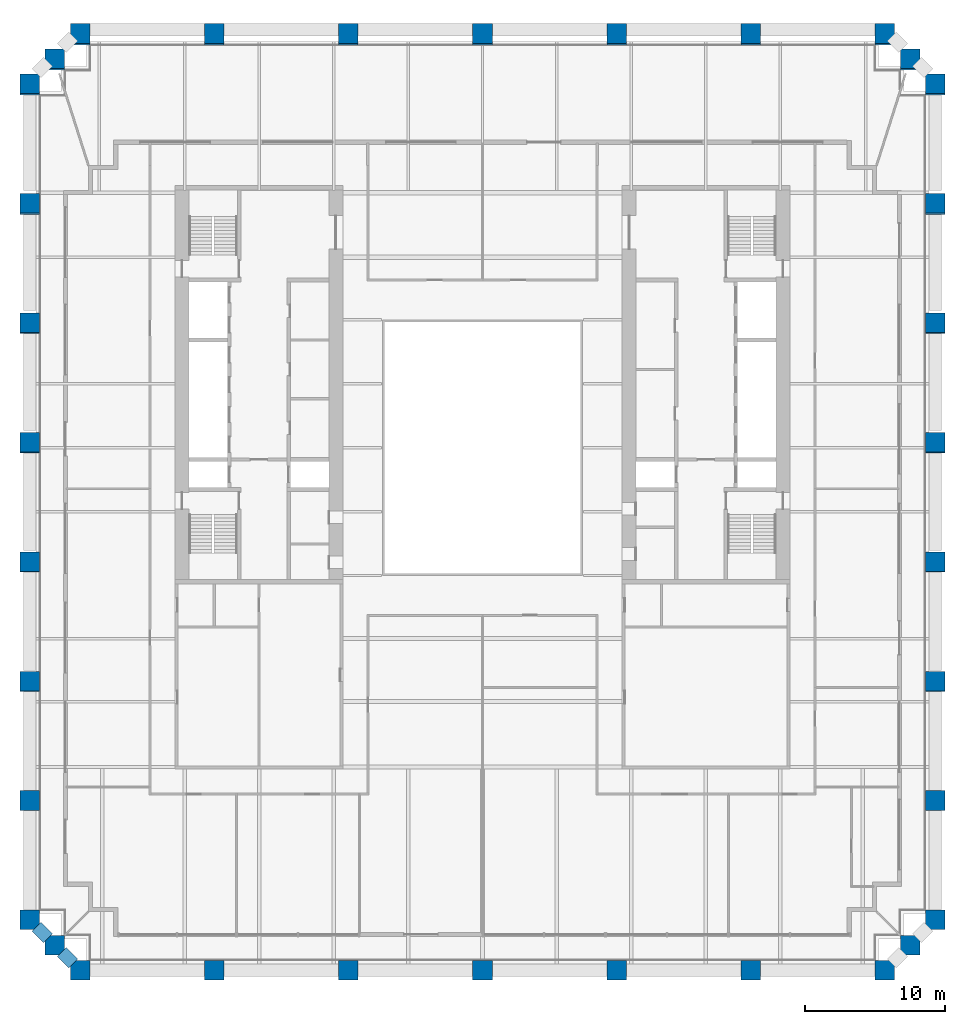
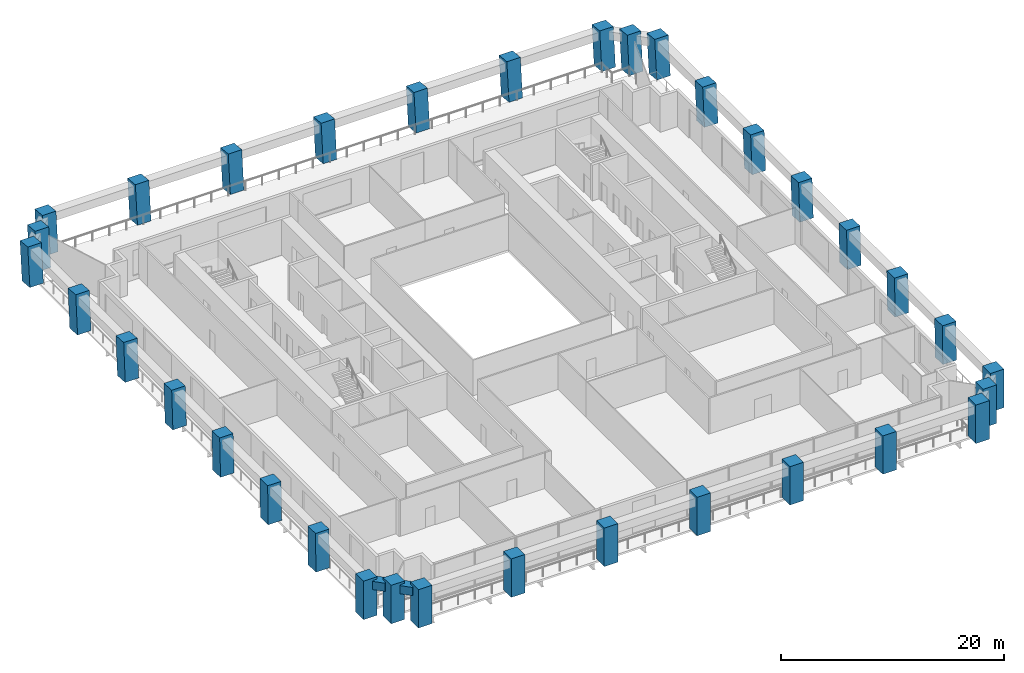
# One storey, part 1 of 11: 34 columns, 2 beams.
"""IFC4 building model written with IfcOpenShell, lengths in metres."""

from ifc_helpers import new_model, si_unit, direction, frame, origin, origin_2d, place, context, subcontext, project, spatial, rectangle, extrude, material, material_profile, profile_set, type_object, element, save


model = new_model("IFC4")

# Units and contexts
model_context = context("Model", 3, precision=1e-05, world=origin(), true_north=direction((0.0, 1.0)))
body_context = subcontext(model_context, "Body", "Model", "MODEL_VIEW")
ifc_project = project(units=[si_unit("LENGTHUNIT", "METRE"), si_unit("AREAUNIT", "SQUARE_METRE"), si_unit("VOLUMEUNIT", "CUBIC_METRE"), si_unit("PLANEANGLEUNIT", "RADIAN"), si_unit("MASSUNIT", "GRAM", prefix="KILO")], contexts=[model_context])

# Site, building, storey
site_placement = place(None, origin())
site = spatial("IfcSite", under=ifc_project, at=site_placement, CompositionType="ELEMENT")
building_placement = place(site_placement, origin())
building = spatial("IfcBuilding", under=site, at=building_placement, Name="Ogive Exchange Tower", CompositionType="ELEMENT")
storey_placement = place(building_placement, frame((0.0, 0.0, 90.0)))
storey = spatial("IfcBuildingStorey", under=building, at=storey_placement, Name="L19", CompositionType="ELEMENT", Elevation=90.0)

# Columns
ifc_material = material(Name="Precast concrete C70/85 (limestone faced)", Category="masonry")
ifc_material_profile_1 = material_profile(ifc_material, rectangle(XDim=1.39990234375, YDim=1.39990234375, at=origin_2d()), Name="1400 x 1400")
ifc_profile_set_1 = profile_set([ifc_material_profile_1], Name="Precast concrete C70/85 (limestone faced)")
column_type = type_object("IfcColumnType", Name="Precast exoskeleton leg 1400 x 1400 C70/85", PredefinedType="COLUMN", material=ifc_profile_set_1)
for number, where, z_axis, x_axis, name in (
    (1, (-28.800048828125, -30.39990234375, 0.0), (0.0, 0.0, 1.0), (1.0, 0.0, 0.0), "Exoskeleton leg 1"),
    (2, (-19.199951171875, -30.39990234375, 0.0), (0.0, 0.0, 1.0), (1.0, 0.0, 0.0), "Exoskeleton leg 2"),
    (3, (-9.60009765625, -30.39990234375, 0.0), (0.0, 0.0, 1.0), (1.0, 0.0, 0.0), "Exoskeleton leg 3"),
    (4, (0.0, -30.39990234375, 0.0), (0.0, 0.0, 1.0), (1.0, 0.0, 0.0), "Exoskeleton leg 4"),
    (5, (9.60009765625, -30.39990234375, 0.0), (0.0, 0.0, 1.0), (1.0, 0.0, 0.0), "Exoskeleton leg 5"),
    (6, (19.199951171875, -30.39990234375, 0.0), (0.0, 0.0, 1.0), (1.0, 0.0, 0.0), "Exoskeleton leg 6"),
    (7, (28.800048828125, -30.39990234375, 0.0), (0.0, 0.0, 1.0), (1.0, 0.0, 0.0), "Exoskeleton leg 7"),
    (8, (32.39990234375, -26.800048828125, 0.0), (0.0, 0.0, 1.0), (1.0, 0.0, 0.0), "Exoskeleton leg 8"),
):
    element("IfcColumn", number, at=place(storey_placement, frame(where, z_axis=z_axis, x_axis=x_axis)), inside=storey, type_object=column_type, Name=name, PredefinedType="COLUMN", context=body_context, shape_type="SweptSolid", body=[
        extrude(rectangle(XDim=1.39990234375, YDim=1.39990234375, at=origin_2d()), origin(), (0.0, 0.0, 1.0), 4.199951171875),
    ])
column_1_placement = place(storey_placement, frame((32.39990234375, -18.267578125, 0.0), z_axis=(0.0, 0.013019881024, 0.999915237757), x_axis=(-1.0, 0.0, 0.0)))
element("IfcColumn", 9, at=column_1_placement, inside=storey, type_object=column_type, Name="Exoskeleton leg 9", PredefinedType="COLUMN", context=body_context, shape_type="SweptSolid", body=[
    extrude(rectangle(XDim=1.39990234375, YDim=1.39990234375, at=origin_2d()), origin(), (0.0, 0.0, 1.0), 4.2001953125),
])
column_2_placement = place(storey_placement, frame((32.39990234375, -9.735107421875, 0.0), z_axis=(0.0, 0.025975072843, 0.999662590873), x_axis=(-1.0, 0.0, 0.0)))
element("IfcColumn", 10, at=column_2_placement, inside=storey, type_object=column_type, Name="Exoskeleton leg 10", PredefinedType="COLUMN", context=body_context, shape_type="SweptSolid", body=[
    extrude(rectangle(XDim=1.39990234375, YDim=1.39990234375, at=origin_2d()), origin(), (0.0, 0.0, 1.0), 4.201416015625),
])
column_3_placement = place(storey_placement, frame((32.39990234375, -1.20263671875, 0.0), z_axis=(0.0, 0.038917190853, 0.999242439179), x_axis=(-1.0, 0.0, 0.0)))
element("IfcColumn", 11, at=column_3_placement, inside=storey, type_object=column_type, Name="Exoskeleton leg 11", PredefinedType="COLUMN", context=body_context, shape_type="SweptSolid", body=[
    extrude(rectangle(XDim=1.39990234375, YDim=1.39990234375, at=origin_2d()), origin(), (0.0, 0.0, 1.0), 4.203125),
])
column_4_placement = place(storey_placement, frame((32.39990234375, 7.329833984375, 0.0), z_axis=(0.0, 0.051897648879, 0.99865240902), x_axis=(-1.0, 0.0, 0.0)))
element("IfcColumn", 12, at=column_4_placement, inside=storey, type_object=column_type, Name="Exoskeleton leg 12", PredefinedType="COLUMN", context=body_context, shape_type="SweptSolid", body=[
    extrude(rectangle(XDim=1.39990234375, YDim=1.39990234375, at=origin_2d()), origin(), (0.0, 0.0, 1.0), 4.20556640625),
])
column_5_placement = place(storey_placement, frame((32.39990234375, 15.8623046875, 0.0), z_axis=(0.0, 0.064794093908, 0.997898654872), x_axis=(-1.0, 0.0, 0.0)))
element("IfcColumn", 13, at=column_5_placement, inside=storey, type_object=column_type, Name="Exoskeleton leg 13", PredefinedType="COLUMN", context=body_context, shape_type="SweptSolid", body=[
    extrude(rectangle(XDim=1.39990234375, YDim=1.39990234375, at=origin_2d()), origin(), (0.0, 0.0, 1.0), 4.208740234375),
])
column_6_placement = place(storey_placement, frame((32.39990234375, 24.394775390625, 0.0), z_axis=(0.0, 0.07771576013, 0.996975556685), x_axis=(-1.0, 0.0, 0.0)))
element("IfcColumn", 14, at=column_6_placement, inside=storey, type_object=column_type, Name="Exoskeleton leg 14", PredefinedType="COLUMN", context=body_context, shape_type="SweptSolid", body=[
    extrude(rectangle(XDim=1.39990234375, YDim=1.39990234375, at=origin_2d()), origin(), (0.0, 0.0, 1.0), 4.212646484375),
])
for number, where, z_axis, x_axis, name in (
    (15, (32.39990234375, 32.92724609375, 0.0), (0.0, 0.090540965689, 0.995892731941), (-1.0, 0.0, 0.0), "Exoskeleton leg 15"),
    (16, (28.800048828125, 36.52734375, 0.0), (0.0, 0.090540965689, 0.995892731941), (-1.0, 0.0, 0.0), "Exoskeleton leg 16"),
    (17, (19.199951171875, 36.52734375, 0.0), (0.0, 0.090540965689, 0.995892731941), (-1.0, 0.0, 0.0), "Exoskeleton leg 17"),
    (18, (9.60009765625, 36.52734375, 0.0), (0.0, 0.090540965689, 0.995892731941), (-1.0, 0.0, 0.0), "Exoskeleton leg 18"),
    (19, (0.0, 36.52734375, 0.0), (0.0, 0.090540965689, 0.995892731941), (-1.0, 0.0, 0.0), "Exoskeleton leg 19"),
    (20, (-9.60009765625, 36.52734375, 0.0), (0.0, 0.090540965689, 0.995892731941), (-1.0, 0.0, 0.0), "Exoskeleton leg 20"),
    (21, (-19.199951171875, 36.52734375, 0.0), (0.0, 0.090540965689, 0.995892731941), (-1.0, 0.0, 0.0), "Exoskeleton leg 21"),
    (22, (-28.800048828125, 36.52734375, 0.0), (0.0, 0.090540965689, 0.995892731941), (-1.0, 0.0, 0.0), "Exoskeleton leg 22"),
    (23, (-32.39990234375, 32.92724609375, 0.0), (0.0, 0.090540965689, 0.995892731941), (-1.0, 0.0, 0.0), "Exoskeleton leg 23"),
):
    element("IfcColumn", number, at=place(storey_placement, frame(where, z_axis=z_axis, x_axis=x_axis)), inside=storey, type_object=column_type, Name=name, PredefinedType="COLUMN", context=body_context, shape_type="SweptSolid", body=[
        extrude(rectangle(XDim=1.39990234375, YDim=1.39990234375, at=origin_2d()), origin(), (0.0, 0.0, 1.0), 4.21728515625),
    ])
column_7_placement = place(storey_placement, frame((-32.39990234375, 24.394775390625, 0.0), z_axis=(0.0, 0.07771576013, 0.996975556685), x_axis=(-1.0, 0.0, 0.0)))
element("IfcColumn", 24, at=column_7_placement, inside=storey, type_object=column_type, Name="Exoskeleton leg 24", PredefinedType="COLUMN", context=body_context, shape_type="SweptSolid", body=[
    extrude(rectangle(XDim=1.39990234375, YDim=1.39990234375, at=origin_2d()), origin(), (0.0, 0.0, 1.0), 4.212646484375),
])
column_8_placement = place(storey_placement, frame((-32.39990234375, 15.8623046875, 0.0), z_axis=(0.0, 0.064794093908, 0.997898654872), x_axis=(-1.0, 0.0, 0.0)))
element("IfcColumn", 25, at=column_8_placement, inside=storey, type_object=column_type, Name="Exoskeleton leg 25", PredefinedType="COLUMN", context=body_context, shape_type="SweptSolid", body=[
    extrude(rectangle(XDim=1.39990234375, YDim=1.39990234375, at=origin_2d()), origin(), (0.0, 0.0, 1.0), 4.208740234375),
])
column_9_placement = place(storey_placement, frame((-32.39990234375, 7.329833984375, 0.0), z_axis=(0.0, 0.051897648879, 0.99865240902), x_axis=(-1.0, 0.0, 0.0)))
element("IfcColumn", 26, at=column_9_placement, inside=storey, type_object=column_type, Name="Exoskeleton leg 26", PredefinedType="COLUMN", context=body_context, shape_type="SweptSolid", body=[
    extrude(rectangle(XDim=1.39990234375, YDim=1.39990234375, at=origin_2d()), origin(), (0.0, 0.0, 1.0), 4.20556640625),
])
column_10_placement = place(storey_placement, frame((-32.39990234375, -1.20263671875, 0.0), z_axis=(0.0, 0.038917190853, 0.999242439179), x_axis=(-1.0, 0.0, 0.0)))
element("IfcColumn", 27, at=column_10_placement, inside=storey, type_object=column_type, Name="Exoskeleton leg 27", PredefinedType="COLUMN", context=body_context, shape_type="SweptSolid", body=[
    extrude(rectangle(XDim=1.39990234375, YDim=1.39990234375, at=origin_2d()), origin(), (0.0, 0.0, 1.0), 4.203125),
])
column_11_placement = place(storey_placement, frame((-32.39990234375, -9.735107421875, 0.0), z_axis=(0.0, 0.025975072843, 0.999662590873), x_axis=(-1.0, 0.0, 0.0)))
element("IfcColumn", 28, at=column_11_placement, inside=storey, type_object=column_type, Name="Exoskeleton leg 28", PredefinedType="COLUMN", context=body_context, shape_type="SweptSolid", body=[
    extrude(rectangle(XDim=1.39990234375, YDim=1.39990234375, at=origin_2d()), origin(), (0.0, 0.0, 1.0), 4.201416015625),
])
column_12_placement = place(storey_placement, frame((-32.39990234375, -18.267578125, 0.0), z_axis=(0.0, 0.013019881024, 0.999915237757), x_axis=(-1.0, 0.0, 0.0)))
element("IfcColumn", 29, at=column_12_placement, inside=storey, type_object=column_type, Name="Exoskeleton leg 29", PredefinedType="COLUMN", context=body_context, shape_type="SweptSolid", body=[
    extrude(rectangle(XDim=1.39990234375, YDim=1.39990234375, at=origin_2d()), origin(), (0.0, 0.0, 1.0), 4.2001953125),
])
for number, where, z_axis, x_axis, name in (
    (30, (-32.39990234375, -26.800048828125, 0.0), (0.0, 0.0, 1.0), (1.0, 0.0, 0.0), "Exoskeleton leg 30"),
    (31, (30.60009765625, -28.60009765625, 0.0), (0.0, 0.0, 1.0), (1.0, 0.0, 0.0), "Exoskeleton leg 31"),
):
    element("IfcColumn", number, at=place(storey_placement, frame(where, z_axis=z_axis, x_axis=x_axis)), inside=storey, type_object=column_type, Name=name, PredefinedType="COLUMN", context=body_context, shape_type="SweptSolid", body=[
        extrude(rectangle(XDim=1.39990234375, YDim=1.39990234375, at=origin_2d()), origin(), (0.0, 0.0, 1.0), 4.199951171875),
    ])
for number, where, z_axis, x_axis, name in (
    (32, (30.60009765625, 34.727294921875, 0.0), (0.0, 0.090540965689, 0.995892731941), (-1.0, 0.0, 0.0), "Exoskeleton leg 32"),
    (33, (-30.60009765625, 34.727294921875, 0.0), (0.0, 0.090540965689, 0.995892731941), (-1.0, 0.0, 0.0), "Exoskeleton leg 33"),
):
    element("IfcColumn", number, at=place(storey_placement, frame(where, z_axis=z_axis, x_axis=x_axis)), inside=storey, type_object=column_type, Name=name, PredefinedType="COLUMN", context=body_context, shape_type="SweptSolid", body=[
        extrude(rectangle(XDim=1.39990234375, YDim=1.39990234375, at=origin_2d()), origin(), (0.0, 0.0, 1.0), 4.21728515625),
    ])
column_13_placement = place(storey_placement, frame((-30.60009765625, -28.60009765625, 0.0), z_axis=(0.0, 0.0, 1.0), x_axis=(1.0, 0.0, 0.0)))
element("IfcColumn", 34, at=column_13_placement, inside=storey, type_object=column_type, Name="Exoskeleton leg 34", PredefinedType="COLUMN", context=body_context, shape_type="SweptSolid", body=[
    extrude(rectangle(XDim=1.39990234375, YDim=1.39990234375, at=origin_2d()), origin(), (0.0, 0.0, 1.0), 4.199951171875),
])

# Beams
ifc_material_profile_2 = material_profile(ifc_material, rectangle(XDim=0.89990234375, YDim=0.89990234375, at=origin_2d()), Name="900 x 900")
ifc_profile_set_2 = profile_set([ifc_material_profile_2], Name="Precast concrete C70/85 (limestone faced)")
beam_type = type_object("IfcBeamType", Name="Precast spandrel 900 x 900 C70/85", PredefinedType="SPANDREL", material=ifc_profile_set_2)
for number, where, z_axis, x_axis, name in (
    (35, (-31.912109375, -27.287841796875, 3.5), (0.707106781187, -0.707106781187, 0.0), (0.707106781187, 0.707106781187, 0.0), "Spandrel 33"),
    (36, (-30.112060546875, -29.087890625, 3.5), (0.707106781187, -0.707106781187, 0.0), (0.707106781187, 0.707106781187, 0.0), "Spandrel 34"),
):
    element("IfcBeam", number, at=place(storey_placement, frame(where, z_axis=z_axis, x_axis=x_axis)), inside=storey, type_object=beam_type, Name=name, PredefinedType="SPANDREL", context=body_context, shape_type="SweptSolid", body=[
        extrude(rectangle(XDim=0.89990234375, YDim=0.89990234375, at=origin_2d()), origin(), (0.0, 0.0, 1.0), 1.16552734375),
    ])

save(model, "model.ifc")
